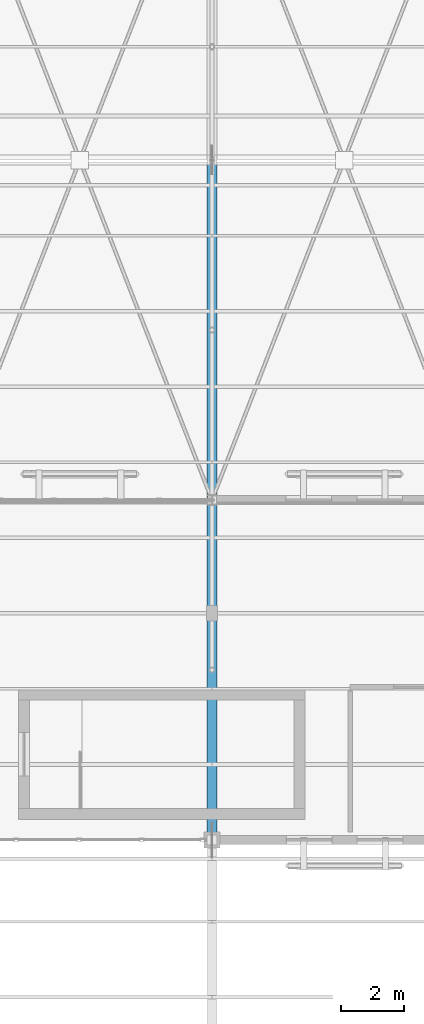
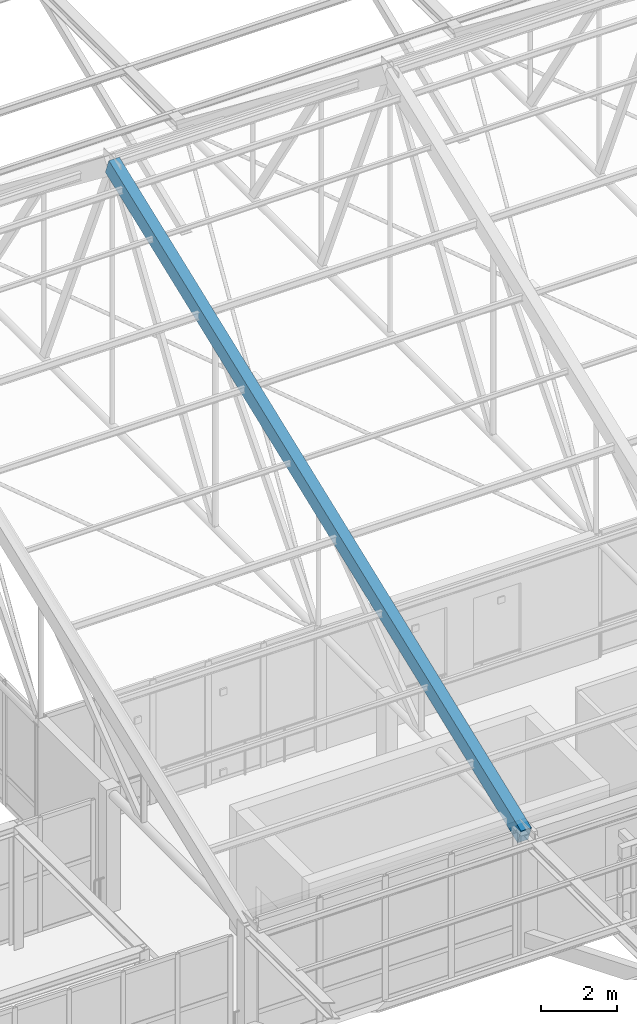
# One storey, part 70 of 217: 1 member.
"""IFC4 building model written with IfcOpenShell, lengths in metres."""

from ifc_helpers import new_model, si_unit, direction, frame, origin, origin_2d, place, context, subcontext, project, spatial, rectangle, extrude, material, material_profile, profile_set, type_object, element, save


model = new_model("IFC4")

# Units and contexts
model_context = context("Model", 3, precision=1e-05, world=origin(), true_north=direction((0.0, 1.0)))
body_context = subcontext(model_context, "Body", "Model", "MODEL_VIEW")
ifc_project = project(units=[si_unit("LENGTHUNIT", "METRE"), si_unit("AREAUNIT", "SQUARE_METRE"), si_unit("VOLUMEUNIT", "CUBIC_METRE"), si_unit("PLANEANGLEUNIT", "RADIAN"), si_unit("MASSUNIT", "GRAM", prefix="KILO")], contexts=[model_context])

# Site, building, storey
site_placement = place(None, origin())
site = spatial("IfcSite", under=ifc_project, at=site_placement, CompositionType="ELEMENT")
building_placement = place(site_placement, origin())
building = spatial("IfcBuilding", under=site, at=building_placement, Name="Mazaris Harbour Polytechnic", CompositionType="ELEMENT")
storey_placement = place(building_placement, frame((0.0, 0.0, 9.60009765625)))
storey = spatial("IfcBuildingStorey", under=building, at=storey_placement, Name="L02", CompositionType="ELEMENT", Elevation=9.60009765625)

# Member
ifc_material = material(Name="Glulam GL32h", Category="wood")
ifc_material_profile = material_profile(ifc_material, rectangle(XDim=0.320068359375, YDim=0.52001953125, at=origin_2d()), Name="RECT320x520")
ifc_profile_set = profile_set([ifc_material_profile], Name="Glulam GL32h")
member_type = type_object("IfcMemberType", Name="Glulam Top Chord 320x520", PredefinedType="CHORD", material=ifc_profile_set)
member_placement = place(storey_placement, frame((62.39990234375, 75.60009765625, 3.75), z_axis=(0.0, 0.93273343771, 0.360566684786), x_axis=(-1.0, 0.0, 0.0)))
element("IfcMember", 1, at=member_placement, inside=storey, type_object=member_type, Name="Truss 2 South Glulam Top Chord", PredefinedType="CHORD", context=body_context, shape_type="SweptSolid", body=[
    extrude(rectangle(XDim=0.320068359375, YDim=0.52001953125, at=origin_2d()), origin(), (0.0, 0.0, 1.0), 23.157470703125),
])

save(model, "model.ifc")
